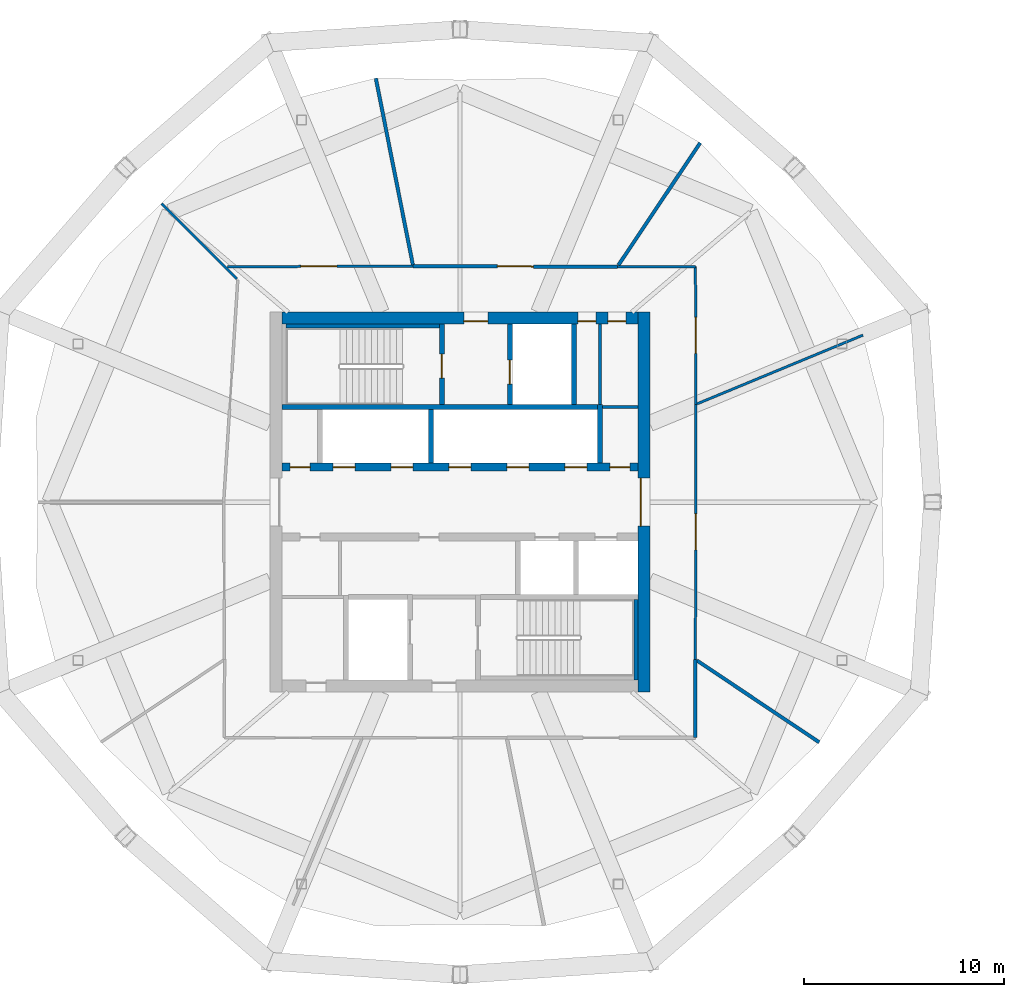
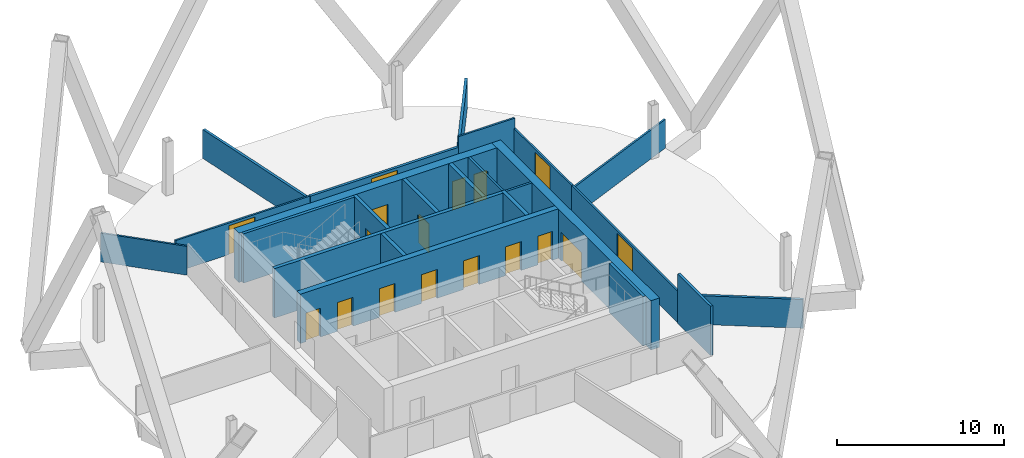
# One storey, part 5 of 9: 24 walls, 17 doors, 17 openings.
"""IFC4 building model written with IfcOpenShell, lengths in metres."""

import ifcopenshell
import ifcopenshell.guid

model = None  # the IFC model being written
_history = None  # IfcOwnerHistory: only IFC2X3 demands one
_inside = {}  # id of a spatial element -> (the spatial element, [elements in it])
_under = {}  # id of a project, library or spatial element -> (it, [spatial elements below it])
_declared = {}  # id of a project -> (the project, [libraries it declares])
_typed = {}  # id of a type object -> (the type object, [elements of that type])
_made_of = {}  # id of a material, layer set ... -> (it, [elements and type objects made of it])


def new_model(schema):
    """Start an empty IFC model of exactly this schema.

    Asked for "IFC4X3", IfcOpenShell would pick the latest addendum, in which some entities
    have other attributes; the version numbers below select the first issue.
    IFC2X3 requires an IfcOwnerHistory on every rooted entity: one is made here for all.
    """
    global model, _history
    if schema == "IFC4X3":
        model = ifcopenshell.file(schema_version=(4, 3, 0, 0))
    else:
        model = ifcopenshell.file(schema=schema)
    _inside.clear()
    _under.clear()
    _declared.clear()
    _typed.clear()
    _made_of.clear()
    _history = None
    if model.schema == "IFC2X3":
        org = make("IfcOrganization", Name="unknown")
        user = make(
            "IfcPersonAndOrganization",
            ThePerson=make("IfcPerson", FamilyName="unknown"),
            TheOrganization=org,
        )
        app = make(
            "IfcApplication",
            ApplicationDeveloper=org,
            Version="unknown",
            ApplicationFullName="unknown",
            ApplicationIdentifier="unknown",
        )
        _history = make(
            "IfcOwnerHistory",
            OwningUser=user,
            OwningApplication=app,
            ChangeAction="ADDED",
            CreationDate=0,
        )
    return model


def make(cls, **values):
    """One entity of the class cls with the attributes given. An attribute that is None is left unset."""
    return model.create_entity(
        cls, **{name: value for name, value in values.items() if value is not None}
    )


def rooted(cls, **values):
    """An entity with a GlobalId (a new one), such as an element, a storey or a relation."""
    return make(cls, GlobalId=ifcopenshell.guid.new(), OwnerHistory=_history, **values)


def si_unit(unit_type, name, prefix=None):
    """IfcSIUnit, for example si_unit("LENGTHUNIT", "METRE", prefix="MILLI")."""
    return make("IfcSIUnit", UnitType=unit_type, Prefix=prefix, Name=name)


def assignment(units):
    """IfcUnitAssignment: the units of a project."""
    return None if units is None else make("IfcUnitAssignment", Units=units)


def point(xyz):
    """IfcCartesianPoint."""
    return None if xyz is None else make("IfcCartesianPoint", Coordinates=xyz)


def direction(xyz):
    """IfcDirection."""
    return None if xyz is None else make("IfcDirection", DirectionRatios=xyz)


def frame(location, z_axis=None, x_axis=None):
    """IfcAxis2Placement3D, a coordinate frame: its origin and axes. An axis left out is left unset."""
    return make(
        "IfcAxis2Placement3D",
        Location=point(location),
        Axis=direction(z_axis),
        RefDirection=direction(x_axis),
    )


def frame_2d(location, x_axis=None):
    """IfcAxis2Placement2D, a coordinate frame in the plane: its origin and x axis."""
    return make(
        "IfcAxis2Placement2D", Location=point(location), RefDirection=direction(x_axis)
    )


def origin():
    """The frame at (0, 0, 0) with its axes left unset."""
    return frame((0.0, 0.0, 0.0))


def place(relative_to, where):
    """IfcLocalPlacement: puts the frame where relative to a parent placement (None: the world)."""
    return make(
        "IfcLocalPlacement", PlacementRelTo=relative_to, RelativePlacement=where
    )


def context(
    kind, dimensions, precision=None, world=None, true_north=None, identifier=None
):
    """IfcGeometricRepresentationContext, for example the 3D "Model" context."""
    return make(
        "IfcGeometricRepresentationContext",
        ContextIdentifier=identifier,
        ContextType=kind,
        CoordinateSpaceDimension=dimensions,
        Precision=precision,
        WorldCoordinateSystem=world,
        TrueNorth=true_north,
    )


def subcontext(parent, identifier, kind, view, scale=None):
    """IfcGeometricRepresentationSubContext, for example "Body" below "Model"."""
    return make(
        "IfcGeometricRepresentationSubContext",
        ContextIdentifier=identifier,
        ContextType=kind,
        ParentContext=parent,
        TargetScale=scale,
        TargetView=view,
    )


def project(units=None, contexts=None):
    """IfcProject with its units and contexts."""
    return rooted(
        "IfcProject",
        Name="project",
        RepresentationContexts=contexts,
        UnitsInContext=assignment(units),
    )


def spatial(cls, under=None, at=None, **own):
    """A site, building, storey or space (cls), placed at a placement, below another one or the project."""
    s = rooted(cls, ObjectPlacement=at, **own)
    if under is not None:
        _under.setdefault(under.id(), (under, []))[1].append(s)
    return s


def profile(cls, at=None, kind="AREA", **sizes):
    """A parametric profile (cls). Its sizes go by their IFC names, for example OverallWidth=200.0."""
    return make(cls, ProfileType=kind, Position=at, **sizes)


def rectangle(**sizes):
    """IfcRectangleProfileDef."""
    return profile("IfcRectangleProfileDef", **sizes)


def extrude(swept, where, along, depth):
    """IfcExtrudedAreaSolid: the profile swept, set in the frame where, extruded along a direction by depth."""
    return make(
        "IfcExtrudedAreaSolid",
        SweptArea=swept,
        Position=where,
        ExtrudedDirection=direction(along),
        Depth=depth,
    )


def shape(context_of_items, identifier, shape_type, items):
    """IfcShapeRepresentation: the items that make up one representation, for example the "Body"."""
    return make(
        "IfcShapeRepresentation",
        ContextOfItems=context_of_items,
        RepresentationIdentifier=identifier,
        RepresentationType=shape_type,
        Items=items,
    )


def material(Name=None, Category=None):
    """IfcMaterial."""
    return make("IfcMaterial", Name=Name, Category=Category)


def layer(
    of_material, thickness, ventilated=None, Name=None, Category=None, Priority=None
):
    """IfcMaterialLayer: one layer of a wall or slab, of a material (None: an air gap)."""
    return make(
        "IfcMaterialLayer",
        Material=of_material,
        LayerThickness=thickness,
        IsVentilated=ventilated,
        Name=Name,
        Category=Category,
        Priority=Priority,
    )


def layer_set(layers, Name=None):
    """IfcMaterialLayerSet."""
    return make("IfcMaterialLayerSet", MaterialLayers=layers, LayerSetName=Name)


def made_of(thing, what):
    """Note that an element or type object is made of a material, layer set ...; save() writes the relation."""
    if what is not None:
        _made_of.setdefault(what.id(), (what, []))[1].append(thing)
    return thing


def type_object(cls, material=None, **own):
    """A type object (cls), such as IfcWallType, which elements share."""
    return made_of(rooted(cls, **own), material)


def element(
    cls,
    number,
    at=None,
    inside=None,
    cuts=None,
    type_object=None,
    material=None,
    context=None,
    identifier="Body",
    shape_type=None,
    held_by="IfcProductDefinitionShape",
    body=None,
    shapes=None,
    **own,
):
    """One element of the class cls, such as IfcWall. Its Tag is "e" and its number.

    at: its placement. inside: the storey or other place that contains it. cuts: it is an
    opening in that element (IfcRelVoidsElement). A single representation is given by context,
    identifier, shape_type and body (its items); several are given by shapes. held_by: the class
    of the entity that holds the representations. save() writes the other relations.
    """
    e = rooted(cls, Tag="e%d" % number, ObjectPlacement=at, **own)
    if body is not None:
        shapes = [shape(context, identifier, shape_type, body)]
    if shapes is not None:
        e.Representation = make(held_by, Representations=shapes)
    if inside is not None:
        _inside.setdefault(inside.id(), (inside, []))[1].append(e)
    if cuts is not None:
        rooted(
            "IfcRelVoidsElement", RelatingBuildingElement=cuts, RelatedOpeningElement=e
        )
    if type_object is not None:
        _typed.setdefault(type_object.id(), (type_object, []))[1].append(e)
    return made_of(e, material)


def fill(opening, filler):
    """IfcRelFillsElement: the door or window that sits in an opening."""
    return rooted(
        "IfcRelFillsElement",
        RelatingOpeningElement=opening,
        RelatedBuildingElement=filler,
    )


def aggregate(whole, parts):
    """IfcRelAggregates: a whole, such as a stair, and the parts it consists of."""
    return rooted("IfcRelAggregates", RelatingObject=whole, RelatedObjects=parts)


def save(model, path):
    """Write the relations noted so far, then the file.

    IfcRelAggregates (storeys below a building ...), IfcRelContainedInSpatialStructure (elements
    in a storey), IfcRelDefinesByType, IfcRelAssociatesMaterial and IfcRelDeclares: one each for
    every whole, place, type object, material and project.
    """
    for whole, parts in _under.values():
        aggregate(whole, parts)
    for where, things in _inside.values():
        rooted(
            "IfcRelContainedInSpatialStructure",
            RelatedElements=things,
            RelatingStructure=where,
        )
    for kind, things in _typed.values():
        rooted("IfcRelDefinesByType", RelatedObjects=things, RelatingType=kind)
    for what, things in _made_of.values():
        rooted("IfcRelAssociatesMaterial", RelatedObjects=things, RelatingMaterial=what)
    for by, libraries in _declared.values():
        rooted("IfcRelDeclares", RelatingContext=by, RelatedDefinitions=libraries)
    model.write(path)


model = new_model("IFC4")

# Units and contexts
model_context = context("Model", 3, precision=1e-05, world=origin(), true_north=direction((0.0, 1.0)))
body_context = subcontext(model_context, "Body", "Model", "MODEL_VIEW")
ifc_project = project(units=[si_unit("LENGTHUNIT", "METRE"), si_unit("AREAUNIT", "SQUARE_METRE"), si_unit("VOLUMEUNIT", "CUBIC_METRE"), si_unit("PLANEANGLEUNIT", "RADIAN"), si_unit("MASSUNIT", "GRAM", prefix="KILO")], contexts=[model_context])

# Site, building, storey
site_placement = place(None, origin())
site = spatial("IfcSite", under=ifc_project, at=site_placement, CompositionType="ELEMENT")
building_placement = place(site_placement, origin())
building = spatial("IfcBuilding", under=site, at=building_placement, Name="Ogive Gate Towers", CompositionType="ELEMENT")
storey_placement = place(building_placement, frame((0.0, 0.0, 200.699951171875)))
storey = spatial("IfcBuildingStorey", under=building, at=storey_placement, Name="L48", CompositionType="ELEMENT", Elevation=200.699951171875)

# Walls
ifc_material_1 = material(Name="Gypsum board acoustic partition")
ifc_layer_1 = layer(ifc_material_1, 0.175048828125)
ifc_layer_set_1 = layer_set([ifc_layer_1], Name="Acoustic partition 175")
wall_type_1 = type_object("IfcWallType", Name="Acoustic partition 175", PredefinedType="PARTITIONING", material=ifc_layer_set_1)
wall_1_placement = place(storey_placement, frame((-23.98193359375, 17.971435546875, 0.0), z_axis=(0.0, 0.0, 1.0), x_axis=(-0.555893526089, -0.831253503844, 0.0)))
element("IfcWall", 1, at=wall_1_placement, inside=storey, type_object=wall_type_1, Name="Partition T1-L48-002", PredefinedType="PARTITIONING", context=body_context, shape_type="SweptSolid", body=[
    extrude(rectangle(XDim=7.361572265625, YDim=0.175048828125, at=frame_2d((3.6806640625, 0.0))), origin(), (0.0, 0.0, 1.0), 2.10009765625),
])
wall_2_placement = place(storey_placement, frame((-40.209716796875, 21.205810546875, 0.0), z_axis=(0.0, 0.0, 1.0), x_axis=(0.194714091205, -0.980860042354, 0.0)))
element("IfcWall", 2, at=wall_2_placement, inside=storey, type_object=wall_type_1, Name="Partition T1-L48-003", PredefinedType="PARTITIONING", context=body_context, shape_type="SweptSolid", body=[
    extrude(rectangle(XDim=9.51171875, YDim=0.175048828125, at=frame_2d((4.755859375, 0.0))), origin(), (0.0, 0.0, 1.0), 2.10009765625),
])
wall_3_placement = place(storey_placement, frame((-18.028564453125, -12.01806640625, 0.0), z_axis=(0.0, 0.0, 1.0), x_axis=(-0.831253503844, 0.555893526089, 0.0)))
element("IfcWall", 3, at=wall_3_placement, inside=storey, type_object=wall_type_1, Name="Partition T1-L48-009", PredefinedType="PARTITIONING", context=body_context, shape_type="SweptSolid", body=[
    extrude(rectangle(XDim=7.361572265625, YDim=0.175048828125, at=frame_2d((3.6806640625, 0.0))), origin(), (0.0, 0.0, 1.0), 2.10009765625),
])
wall_4_placement = place(storey_placement, frame((-24.219970703125, -11.780029296875, 0.0), z_axis=(0.0, 0.0, 1.0), x_axis=(-0.000187664203, 0.999999982391, 0.0)))
element("IfcWall", 4, at=wall_4_placement, inside=storey, type_object=wall_type_1, Name="Partition T1-L48-015", PredefinedType="PARTITIONING", context=body_context, shape_type="SweptSolid", body=[
    extrude(rectangle(XDim=3.90283203125, YDim=0.175048828125, at=frame_2d((1.951416015625, 0.0))), origin(), (0.0, 0.0, 1.0), 3.60009765625),
])

# Wall, opening, door
wall_5_placement = place(storey_placement, frame((-28.122802734375, 11.779296875, 0.0), z_axis=(0.0, 0.0, 1.0), x_axis=(-0.999999395978, 0.00109911049, 0.0)))
wall_5 = element("IfcWall", 5, at=wall_5_placement, inside=storey, type_object=wall_type_1, Name="Partition T1-L48-019", PredefinedType="PARTITIONING", context=body_context, shape_type="SweptSolid", body=[
    extrude(rectangle(XDim=10.2177734375, YDim=0.175048828125, at=frame_2d((5.10888671875, 0.0))), origin(), (0.0, 0.0, 1.0), 2.300048828125),
])
opening_1_placement = place(wall_5_placement, frame((4.208984375, 0.0, 0.0)))
opening_1 = element("IfcOpeningElement", 6, at=opening_1_placement, cuts=wall_5, Name="Opening T1-L48-D07", PredefinedType="OPENING", context=body_context, shape_type="SweptSolid", body=[
    extrude(rectangle(XDim=1.800048828125, YDim=2.10009765625, at=frame_2d((0.89990234375, 1.050048828125))), frame((0.0, 0.09765625, 0.0), z_axis=(0.0, -1.0, 0.0), x_axis=(1.0, 0.0, 0.0)), (0.0, 0.0, 1.0), 0.195068359375),
])
ifc_material_2 = material(Name="Timber door", Category="wood")
door_type_1 = type_object("IfcDoorType", Name="Door pair 1800", OperationType="NOTDEFINED", PredefinedType="DOOR", material=ifc_material_2)
door_1_placement = place(opening_1_placement, origin())
door_1 = element("IfcDoor", 7, at=door_1_placement, inside=storey, type_object=door_type_1, Name="Door T1-L48-D07", OperationType="DOUBLE_DOOR_DOUBLE_SWING", OverallHeight=2.10009765625, OverallWidth=1.800048828125, PredefinedType="DOOR", context=body_context, shape_type="SweptSolid", body=[
    extrude(rectangle(XDim=1.800048828125, YDim=2.10009765625, at=frame_2d((0.89990234375, 1.050048828125))), frame((0.0, 0.02490234375, 0.0), z_axis=(0.0, -1.0, 0.0), x_axis=(1.0, 0.0, 0.0)), (0.0, 0.0, 1.0), 0.050048828125),
])
fill(opening_1, door_1)

# Wall, openings, doors
ifc_material_3 = material(Name="Concrete C60/75", Category="concrete")
ifc_layer_2 = layer(ifc_material_3, 0.60009765625)
ifc_layer_set_2 = layer_set([ifc_layer_2], Name="Core wall 600 mm")
wall_type_2 = type_object("IfcWallType", Name="Core wall 600 mm", PredefinedType="SHEAR", material=ifc_layer_set_2)
wall_6_placement = place(storey_placement, frame((-44.89990234375, 9.199951171875, 0.0), z_axis=(0.0, 0.0, 1.0), x_axis=(1.0, 0.0, 0.0)))
wall_6 = element("IfcWall", 8, at=wall_6_placement, inside=storey, type_object=wall_type_2, Name="T1 L48 Core wall 600 mm", PredefinedType="SHEAR", context=body_context, shape_type="SweptSolid", body=[
    extrude(rectangle(XDim=17.7998046875, YDim=0.60009765625, at=frame_2d((8.89990234375, 0.0))), origin(), (0.0, 0.0, 1.0), 3.60009765625),
])
opening_2_placement = place(wall_6_placement, frame((9.10009765625, 0.0, 0.0)))
opening_2 = element("IfcOpeningElement", 9, at=opening_2_placement, cuts=wall_6, Name="Opening KD-T1-L48-18", PredefinedType="OPENING", context=body_context, shape_type="SweptSolid", body=[
    extrude(rectangle(XDim=1.199951171875, YDim=2.10009765625, at=frame_2d((0.60009765625, 1.050048828125))), frame((0.0, 0.31005859375, 0.0), z_axis=(0.0, -1.0, 0.0), x_axis=(1.0, 0.0, 0.0)), (0.0, 0.0, 1.0), 0.6201171875),
])
opening_3_placement = place(wall_6_placement, frame((14.800048828125, 0.0, 0.0)))
opening_3 = element("IfcOpeningElement", 10, at=opening_3_placement, cuts=wall_6, Name="Opening KD-T1-L48-20", PredefinedType="OPENING", context=body_context, shape_type="SweptSolid", body=[
    extrude(rectangle(XDim=0.89990234375, YDim=2.10009765625, at=frame_2d((0.449951171875, 1.050048828125))), frame((0.0, 0.31005859375, 0.0), z_axis=(0.0, -1.0, 0.0), x_axis=(1.0, 0.0, 0.0)), (0.0, 0.0, 1.0), 0.6201171875),
])
opening_4_placement = place(wall_6_placement, frame((16.300048828125, 0.0, 0.0)))
opening_4 = element("IfcOpeningElement", 11, at=opening_4_placement, cuts=wall_6, Name="Opening KD-T1-L48-21", PredefinedType="OPENING", context=body_context, shape_type="SweptSolid", body=[
    extrude(rectangle(XDim=0.89990234375, YDim=2.10009765625, at=frame_2d((0.449951171875, 1.050048828125))), frame((0.0, 0.31005859375, 0.0), z_axis=(0.0, -1.0, 0.0), x_axis=(1.0, 0.0, 0.0)), (0.0, 0.0, 1.0), 0.6201171875),
])
door_type_2 = type_object("IfcDoorType", Name="Core WC door 900 x 2100", OperationType="NOTDEFINED", PredefinedType="DOOR", material=ifc_material_2)
door_2_placement = place(opening_3_placement, origin())
door_2 = element("IfcDoor", 12, at=door_2_placement, inside=storey, type_object=door_type_2, Name="T1 L48 Core door", OperationType="SINGLE_SWING_LEFT", OverallHeight=2.10009765625, OverallWidth=0.89990234375, PredefinedType="DOOR", context=body_context, shape_type="SweptSolid", body=[
    extrude(rectangle(XDim=0.89990234375, YDim=2.10009765625, at=frame_2d((0.449951171875, 1.050048828125))), frame((0.0, -0.125, 0.0), z_axis=(0.0, -1.0, 0.0), x_axis=(1.0, 0.0, 0.0)), (0.0, 0.0, 1.0), 0.050048828125),
])
fill(opening_3, door_2)
door_3_placement = place(opening_4_placement, origin())
door_3 = element("IfcDoor", 13, at=door_3_placement, inside=storey, type_object=door_type_2, Name="T1 L48 Core door", OperationType="SINGLE_SWING_RIGHT", OverallHeight=2.10009765625, OverallWidth=0.89990234375, PredefinedType="DOOR", context=body_context, shape_type="SweptSolid", body=[
    extrude(rectangle(XDim=0.89990234375, YDim=2.10009765625, at=frame_2d((0.449951171875, 1.050048828125))), frame((0.0, -0.125, 0.0), z_axis=(0.0, -1.0, 0.0), x_axis=(1.0, 0.0, 0.0)), (0.0, 0.0, 1.0), 0.050048828125),
])
fill(opening_4, door_3)
ifc_material_4 = material(Name="Steel fire door", Category="steel")
door_type_3 = type_object("IfcDoorType", Name="Core door FD60S 1200 x 2100", OperationType="NOTDEFINED", PredefinedType="DOOR", material=ifc_material_4)
door_4_placement = place(opening_2_placement, origin())
door_4 = element("IfcDoor", 14, at=door_4_placement, inside=storey, type_object=door_type_3, Name="T1 L48 Fire-fighting lobby door", OperationType="SINGLE_SWING_LEFT", OverallHeight=2.10009765625, OverallWidth=1.199951171875, PredefinedType="DOOR", context=body_context, shape_type="SweptSolid", body=[
    extrude(rectangle(XDim=1.199951171875, YDim=2.10009765625, at=frame_2d((0.60009765625, 1.050048828125))), frame((0.0, -0.125, 0.0), z_axis=(0.0, -1.0, 0.0), x_axis=(1.0, 0.0, 0.0)), (0.0, 0.0, 1.0), 0.050048828125),
])
fill(opening_2, door_4)

# Wall, opening, door
wall_7_placement = place(storey_placement, frame((-26.800048828125, -9.5, 0.0), z_axis=(0.0, 0.0, 1.0), x_axis=(0.0, 1.0, 0.0)))
wall_7 = element("IfcWall", 15, at=wall_7_placement, inside=storey, type_object=wall_type_2, Name="T1 L48 Core wall 600 mm", PredefinedType="SHEAR", context=body_context, shape_type="SweptSolid", body=[
    extrude(rectangle(XDim=19.0, YDim=0.60009765625, at=frame_2d((9.5, 0.0))), origin(), (0.0, 0.0, 1.0), 3.60009765625),
])
opening_5_placement = place(wall_7_placement, frame((8.300048828125, 0.0, 0.0)))
opening_5 = element("IfcOpeningElement", 16, at=opening_5_placement, cuts=wall_7, Name="Opening KD-T1-L48-02", PredefinedType="OPENING", context=body_context, shape_type="SweptSolid", body=[
    extrude(rectangle(XDim=2.39990234375, YDim=2.10009765625, at=frame_2d((1.199951171875, 1.050048828125))), frame((0.0, 0.31005859375, 0.0), z_axis=(0.0, -1.0, 0.0), x_axis=(1.0, 0.0, 0.0)), (0.0, 0.0, 1.0), 0.6201171875),
])
door_type_4 = type_object("IfcDoorType", Name="Core double door FD60S 2400 x 2100", OperationType="DOUBLE_DOOR_SINGLE_SWING", PredefinedType="DOOR", material=ifc_material_4)
door_5_placement = place(opening_5_placement, origin())
door_5 = element("IfcDoor", 17, at=door_5_placement, inside=storey, type_object=door_type_4, Name="T1 L48 Core door double", OperationType="DOUBLE_DOOR_SINGLE_SWING", OverallHeight=2.10009765625, OverallWidth=2.39990234375, PredefinedType="DOOR", context=body_context, shape_type="SweptSolid", body=[
    extrude(rectangle(XDim=2.39990234375, YDim=2.10009765625, at=frame_2d((1.199951171875, 1.050048828125))), frame((0.0, 0.1748046875, 0.0), z_axis=(0.0, -1.0, 0.0), x_axis=(1.0, 0.0, 0.0)), (0.0, 0.0, 1.0), 0.050048828125),
])
fill(opening_5, door_5)

# Walls
ifc_material_5 = material(Name="Gypsum board partition")
ifc_layer_3 = layer(ifc_material_5, 0.125)
ifc_layer_set_3 = layer_set([ifc_layer_3], Name="Partition 125")
wall_type_3 = type_object("IfcWallType", Name="Partition 125", PredefinedType="PARTITIONING", material=ifc_layer_set_3)
wall_8_placement = place(storey_placement, frame((-15.8408203125, 8.35009765625, 0.0), z_axis=(0.0, 0.0, 1.0), x_axis=(-0.923881075236, -0.382679707877, 0.0)))
element("IfcWall", 18, at=wall_8_placement, inside=storey, type_object=wall_type_3, Name="Partition T1-L48-001", PredefinedType="PARTITIONING", context=body_context, shape_type="SweptSolid", body=[
    extrude(rectangle(XDim=8.986572265625, YDim=0.125, at=frame_2d((4.4931640625, 0.0))), origin(), (0.0, 0.0, 1.0), 2.10009765625),
])
wall_9_placement = place(storey_placement, frame((-50.933349609375, 14.933349609375, 0.0), z_axis=(0.0, 0.0, 1.0), x_axis=(0.707106781187, -0.707106781187, 0.0)))
element("IfcWall", 19, at=wall_9_placement, inside=storey, type_object=wall_type_3, Name="Partition T1-L48-004", PredefinedType="PARTITIONING", context=body_context, shape_type="SweptSolid", body=[
    extrude(rectangle(XDim=5.33642578125, YDim=0.125, at=frame_2d((2.668212890625, 0.0))), origin(), (0.0, 0.0, 1.0), 2.10009765625),
])

# Wall, opening, door
wall_10_placement = place(storey_placement, frame((-24.220703125, -7.877197265625, 0.0), z_axis=(0.0, 0.0, 1.0), x_axis=(0.001530132287, 0.999998829347, 0.0)))
wall_10 = element("IfcWall", 20, at=wall_10_placement, inside=storey, type_object=wall_type_3, Name="Partition T1-L48-016", PredefinedType="PARTITIONING", context=body_context, shape_type="SweptSolid", body=[
    extrude(rectangle(XDim=12.764404296875, YDim=0.125, at=frame_2d((6.38232421875, 0.0))), origin(), (0.0, 0.0, 1.0), 2.300048828125),
])
opening_6_placement = place(wall_10_placement, frame((5.48193359375, 0.0, 0.0)))
opening_6 = element("IfcOpeningElement", 21, at=opening_6_placement, cuts=wall_10, Name="Opening T1-L48-D05", PredefinedType="OPENING", context=body_context, shape_type="SweptSolid", body=[
    extrude(rectangle(XDim=1.800048828125, YDim=2.10009765625, at=frame_2d((0.89990234375, 1.050048828125))), frame((0.0, 0.072509765625, 0.0), z_axis=(0.0, -1.0, 0.0), x_axis=(1.0, 0.0, 0.0)), (0.0, 0.0, 1.0), 0.14501953125),
])
door_6_placement = place(opening_6_placement, origin())
door_6 = element("IfcDoor", 22, at=door_6_placement, inside=storey, type_object=door_type_1, Name="Door T1-L48-D05", OperationType="DOUBLE_DOOR_DOUBLE_SWING", OverallHeight=2.10009765625, OverallWidth=1.800048828125, PredefinedType="DOOR", context=body_context, shape_type="SweptSolid", body=[
    extrude(rectangle(XDim=1.800048828125, YDim=2.10009765625, at=frame_2d((0.89990234375, 1.050048828125))), frame((0.0, 0.02490234375, 0.0), z_axis=(0.0, -1.0, 0.0), x_axis=(1.0, 0.0, 0.0)), (0.0, 0.0, 1.0), 0.050048828125),
])
fill(opening_6, door_6)

wall_11_placement = place(storey_placement, frame((-24.201171875, 4.88720703125, 0.0), z_axis=(0.0, 0.0, 1.0), x_axis=(-0.002727294784, 0.999996280925, 0.0)))
wall_11 = element("IfcWall", 23, at=wall_11_placement, inside=storey, type_object=wall_type_3, Name="Partition T1-L48-017", PredefinedType="PARTITIONING", context=body_context, shape_type="SweptSolid", body=[
    extrude(rectangle(XDim=6.892822265625, YDim=0.125, at=frame_2d((3.4462890625, 0.0))), origin(), (0.0, 0.0, 1.0), 2.300048828125),
])
opening_7_placement = place(wall_11_placement, frame((2.5458984375, 0.0, 0.0)))
opening_7 = element("IfcOpeningElement", 24, at=opening_7_placement, cuts=wall_11, Name="Opening T1-L48-D06", PredefinedType="OPENING", context=body_context, shape_type="SweptSolid", body=[
    extrude(rectangle(XDim=1.800048828125, YDim=2.10009765625, at=frame_2d((0.89990234375, 1.050048828125))), frame((0.0, 0.072509765625, 0.0), z_axis=(0.0, -1.0, 0.0), x_axis=(1.0, 0.0, 0.0)), (0.0, 0.0, 1.0), 0.14501953125),
])
door_7_placement = place(opening_7_placement, origin())
door_7 = element("IfcDoor", 25, at=door_7_placement, inside=storey, type_object=door_type_1, Name="Door T1-L48-D06", OperationType="DOUBLE_DOOR_DOUBLE_SWING", OverallHeight=2.10009765625, OverallWidth=1.800048828125, PredefinedType="DOOR", context=body_context, shape_type="SweptSolid", body=[
    extrude(rectangle(XDim=1.800048828125, YDim=2.10009765625, at=frame_2d((0.89990234375, 1.050048828125))), frame((0.0, 0.02490234375, 0.0), z_axis=(0.0, -1.0, 0.0), x_axis=(1.0, 0.0, 0.0)), (0.0, 0.0, 1.0), 0.050048828125),
])
fill(opening_7, door_7)

# Wall
wall_12_placement = place(storey_placement, frame((-24.219970703125, 11.780029296875, 0.0), z_axis=(0.0, 0.0, 1.0), x_axis=(-0.999999982391, -0.000187664203, 0.0)))
element("IfcWall", 26, at=wall_12_placement, inside=storey, type_object=wall_type_3, Name="Partition T1-L48-018", PredefinedType="PARTITIONING", context=body_context, shape_type="SweptSolid", body=[
    extrude(rectangle(XDim=3.90283203125, YDim=0.125, at=frame_2d((1.951416015625, 0.0))), origin(), (0.0, 0.0, 1.0), 3.050048828125),
])

# Wall, opening, door
wall_13_placement = place(storey_placement, frame((-38.340576171875, 11.79052734375, 0.0), z_axis=(0.0, 0.0, 1.0), x_axis=(-0.99999938939, -0.001105087995, 0.0)))
wall_13 = element("IfcWall", 27, at=wall_13_placement, inside=storey, type_object=wall_type_3, Name="Partition T1-L48-020", PredefinedType="PARTITIONING", context=body_context, shape_type="SweptSolid", body=[
    extrude(rectangle(XDim=9.27880859375, YDim=0.125, at=frame_2d((4.639404296875, 0.0))), origin(), (0.0, 0.0, 1.0), 2.300048828125),
])
opening_8_placement = place(wall_13_placement, frame((3.820068359375, 0.0, 0.0)))
opening_8 = element("IfcOpeningElement", 28, at=opening_8_placement, cuts=wall_13, Name="Opening T1-L48-D08", PredefinedType="OPENING", context=body_context, shape_type="SweptSolid", body=[
    extrude(rectangle(XDim=1.800048828125, YDim=2.10009765625, at=frame_2d((0.89990234375, 1.050048828125))), frame((0.0, 0.072509765625, 0.0), z_axis=(0.0, -1.0, 0.0), x_axis=(1.0, 0.0, 0.0)), (0.0, 0.0, 1.0), 0.14501953125),
])
door_8_placement = place(opening_8_placement, origin())
door_8 = element("IfcDoor", 29, at=door_8_placement, inside=storey, type_object=door_type_1, Name="Door T1-L48-D08", OperationType="DOUBLE_DOOR_DOUBLE_SWING", OverallHeight=2.10009765625, OverallWidth=1.800048828125, PredefinedType="DOOR", context=body_context, shape_type="SweptSolid", body=[
    extrude(rectangle(XDim=1.800048828125, YDim=2.10009765625, at=frame_2d((0.89990234375, 1.050048828125))), frame((0.0, 0.02490234375, 0.0), z_axis=(0.0, -1.0, 0.0), x_axis=(1.0, 0.0, 0.0)), (0.0, 0.0, 1.0), 0.050048828125),
])
fill(opening_8, door_8)

# Walls
ifc_layer_4 = layer(ifc_material_5, 0.14990234375)
ifc_layer_set_4 = layer_set([ifc_layer_4], Name="Room partition 150 mm")
wall_type_4 = type_object("IfcWallType", Name="Room partition 150 mm", PredefinedType="PARTITIONING", material=ifc_layer_set_4)
wall_14_placement = place(storey_placement, frame((-28.875, 4.75, 0.0), z_axis=(0.0, 0.0, 1.0), x_axis=(1.0, 0.0, 0.0)))
element("IfcWall", 30, at=wall_14_placement, inside=storey, type_object=wall_type_4, Name="T1 L48 Room partition 150 mm", PredefinedType="PARTITIONING", context=body_context, shape_type="SweptSolid", body=[
    extrude(rectangle(XDim=1.77490234375, YDim=0.14990234375, at=frame_2d((0.887451171875, 0.0))), origin(), (0.0, 0.0, 1.0), 3.60009765625),
])
wall_15_placement = place(storey_placement, frame((-29.0, 4.875, 0.0), z_axis=(0.0, 0.0, 1.0), x_axis=(0.0, 1.0, 0.0)))
element("IfcWall", 31, at=wall_15_placement, inside=storey, type_object=wall_type_4, Name="T1 L48 Room partition 150 mm", PredefinedType="PARTITIONING", context=body_context, shape_type="SweptSolid", body=[
    extrude(rectangle(XDim=4.02490234375, YDim=0.14990234375, at=frame_2d((2.012451171875, 0.0))), origin(), (0.0, 0.0, 1.0), 3.60009765625),
])
ifc_layer_5 = layer(ifc_material_3, 0.25)
ifc_layer_set_5 = layer_set([ifc_layer_5], Name="Shaft wall 250 mm")
wall_type_5 = type_object("IfcWallType", Name="Shaft wall 250 mm", PredefinedType="SHEAR", material=ifc_layer_set_5)
wall_16_placement = place(storey_placement, frame((-44.89990234375, 4.75, 0.0), z_axis=(0.0, 0.0, 1.0), x_axis=(1.0, 0.0, 0.0)))
element("IfcWall", 32, at=wall_16_placement, inside=storey, type_object=wall_type_5, Name="T1 L48 Shaft wall 250 mm", PredefinedType="SHEAR", context=body_context, shape_type="SweptSolid", body=[
    extrude(rectangle(XDim=15.77490234375, YDim=0.25, at=frame_2d((7.887451171875, 0.0))), origin(), (0.0, 0.0, 1.0), 3.60009765625),
])
wall_17_placement = place(storey_placement, frame((-37.449951171875, 1.949951171875, 0.0), z_axis=(0.0, 0.0, 1.0), x_axis=(0.0, 1.0, 0.0)))
element("IfcWall", 33, at=wall_17_placement, inside=storey, type_object=wall_type_5, Name="T1 L48 Shaft wall 250 mm", PredefinedType="SHEAR", context=body_context, shape_type="SweptSolid", body=[
    extrude(rectangle(XDim=2.675048828125, YDim=0.25, at=frame_2d((1.33740234375, 0.0))), origin(), (0.0, 0.0, 1.0), 3.60009765625),
])

# Wall, opening, door
wall_18_placement = place(storey_placement, frame((-36.89990234375, 4.875, 0.0), z_axis=(0.0, 0.0, 1.0), x_axis=(0.0, 1.0, 0.0)))
wall_18 = element("IfcWall", 34, at=wall_18_placement, inside=storey, type_object=wall_type_5, Name="T1 L48 Shaft wall 250 mm", PredefinedType="SHEAR", context=body_context, shape_type="SweptSolid", body=[
    extrude(rectangle(XDim=4.02490234375, YDim=0.25, at=frame_2d((2.012451171875, 0.0))), origin(), (0.0, 0.0, 1.0), 3.60009765625),
])
opening_9_placement = place(wall_18_placement, frame((1.324951171875, 0.0, 0.0)))
opening_9 = element("IfcOpeningElement", 35, at=opening_9_placement, cuts=wall_18, Name="Opening KD-T1-L48-16", PredefinedType="OPENING", context=body_context, shape_type="SweptSolid", body=[
    extrude(rectangle(XDim=1.199951171875, YDim=2.10009765625, at=frame_2d((0.60009765625, 1.050048828125))), frame((0.0, 0.135009765625, 0.0), z_axis=(0.0, -1.0, 0.0), x_axis=(1.0, 0.0, 0.0)), (0.0, 0.0, 1.0), 0.27001953125),
])
door_9_placement = place(opening_9_placement, origin())
door_9 = element("IfcDoor", 36, at=door_9_placement, inside=storey, type_object=door_type_3, Name="T1 L48 Stair door", OperationType="SINGLE_SWING_LEFT", OverallHeight=2.10009765625, OverallWidth=1.199951171875, PredefinedType="DOOR", context=body_context, shape_type="SweptSolid", body=[
    extrude(rectangle(XDim=1.199951171875, YDim=2.10009765625, at=frame_2d((0.60009765625, 1.050048828125))), frame((0.0, 0.02490234375, 0.0), z_axis=(0.0, -1.0, 0.0), x_axis=(1.0, 0.0, 0.0)), (0.0, 0.0, 1.0), 0.050048828125),
])
fill(opening_9, door_9)

wall_19_placement = place(storey_placement, frame((-33.5, 4.875, 0.0), z_axis=(0.0, 0.0, 1.0), x_axis=(0.0, 1.0, 0.0)))
wall_19 = element("IfcWall", 37, at=wall_19_placement, inside=storey, type_object=wall_type_5, Name="T1 L48 Shaft wall 250 mm", PredefinedType="SHEAR", context=body_context, shape_type="SweptSolid", body=[
    extrude(rectangle(XDim=4.02490234375, YDim=0.25, at=frame_2d((2.012451171875, 0.0))), origin(), (0.0, 0.0, 1.0), 3.60009765625),
])
opening_10_placement = place(wall_19_placement, frame((1.02490234375, 0.0, 0.0)))
opening_10 = element("IfcOpeningElement", 38, at=opening_10_placement, cuts=wall_19, Name="Opening LD-T1-L48-12", PredefinedType="OPENING", context=body_context, shape_type="SweptSolid", body=[
    extrude(rectangle(XDim=1.199951171875, YDim=2.10009765625, at=frame_2d((0.60009765625, 1.050048828125))), frame((0.0, 0.135009765625, 0.0), z_axis=(0.0, -1.0, 0.0), x_axis=(1.0, 0.0, 0.0)), (0.0, 0.0, 1.0), 0.27001953125),
])
ifc_material_6 = material(Name="Stainless steel landing door", Category="steel")
door_type_5 = type_object("IfcDoorType", Name="Landing door 1200 x 2100", OperationType="SLIDING_TO_LEFT", PredefinedType="DOOR", material=ifc_material_6)
door_10_placement = place(opening_10_placement, origin())
door_10 = element("IfcDoor", 39, at=door_10_placement, inside=storey, type_object=door_type_5, Name="T1 L48 Lift landing door FF1", OperationType="SLIDING_TO_LEFT", OverallHeight=2.10009765625, OverallWidth=1.199951171875, PredefinedType="DOOR", context=body_context, shape_type="SweptSolid", body=[
    extrude(rectangle(XDim=1.199951171875, YDim=2.10009765625, at=frame_2d((0.60009765625, 1.050048828125))), frame((0.0, 0.02490234375, 0.0), z_axis=(0.0, -1.0, 0.0), x_axis=(1.0, 0.0, 0.0)), (0.0, 0.0, 1.0), 0.050048828125),
])
fill(opening_10, door_10)

# Walls
wall_20_placement = place(storey_placement, frame((-30.300048828125, 4.875, 0.0), z_axis=(0.0, 0.0, 1.0), x_axis=(0.0, 1.0, 0.0)))
element("IfcWall", 40, at=wall_20_placement, inside=storey, type_object=wall_type_5, Name="T1 L48 Shaft wall 250 mm", PredefinedType="SHEAR", context=body_context, shape_type="SweptSolid", body=[
    extrude(rectangle(XDim=4.02490234375, YDim=0.25, at=frame_2d((2.012451171875, 0.0))), origin(), (0.0, 0.0, 1.0), 3.60009765625),
])
wall_21_placement = place(storey_placement, frame((-29.0, 1.949951171875, 0.0), z_axis=(0.0, 0.0, 1.0), x_axis=(0.0, 1.0, 0.0)))
element("IfcWall", 41, at=wall_21_placement, inside=storey, type_object=wall_type_5, Name="T1 L48 Shaft wall 250 mm", PredefinedType="SHEAR", context=body_context, shape_type="SweptSolid", body=[
    extrude(rectangle(XDim=2.925048828125, YDim=0.25, at=frame_2d((1.46240234375, 0.0))), origin(), (0.0, 0.0, 1.0), 3.60009765625),
])

# Wall, openings, doors
ifc_layer_6 = layer(ifc_material_3, 0.39990234375)
ifc_layer_set_6 = layer_set([ifc_layer_6], Name="Spine wall 400 mm")
wall_type_6 = type_object("IfcWallType", Name="Spine wall 400 mm", PredefinedType="SHEAR", material=ifc_layer_set_6)
wall_22_placement = place(storey_placement, frame((-44.89990234375, 1.75, 0.0), z_axis=(0.0, 0.0, 1.0), x_axis=(1.0, 0.0, 0.0)))
wall_22 = element("IfcWall", 42, at=wall_22_placement, inside=storey, type_object=wall_type_6, Name="T1 L48 Spine wall 400 mm", PredefinedType="SHEAR", context=body_context, shape_type="SweptSolid", body=[
    extrude(rectangle(XDim=17.7998046875, YDim=0.39990234375, at=frame_2d((8.89990234375, 0.0))), origin(), (0.0, 0.0, 1.0), 3.60009765625),
])
opening_11_placement = place(wall_22_placement, frame((0.39990234375, 0.0, 0.0)))
opening_11 = element("IfcOpeningElement", 43, at=opening_11_placement, cuts=wall_22, Name="Opening KD-T1-L48-03", PredefinedType="OPENING", context=body_context, shape_type="SweptSolid", body=[
    extrude(rectangle(XDim=1.0, YDim=2.10009765625, at=frame_2d((0.5, 1.050048828125))), frame((0.0, 0.2099609375, 0.0), z_axis=(0.0, -1.0, 0.0), x_axis=(1.0, 0.0, 0.0)), (0.0, 0.0, 1.0), 0.419921875),
])
opening_12_placement = place(wall_22_placement, frame((2.550048828125, 0.0, 0.0)))
opening_12 = element("IfcOpeningElement", 44, at=opening_12_placement, cuts=wall_22, Name="Opening LD-T1-L48-04", PredefinedType="OPENING", context=body_context, shape_type="SweptSolid", body=[
    extrude(rectangle(XDim=1.10009765625, YDim=2.10009765625, at=frame_2d((0.550048828125, 1.050048828125))), frame((0.0, 0.2099609375, 0.0), z_axis=(0.0, -1.0, 0.0), x_axis=(1.0, 0.0, 0.0)), (0.0, 0.0, 1.0), 0.419921875),
])
opening_13_placement = place(wall_22_placement, frame((5.449951171875, 0.0, 0.0)))
opening_13 = element("IfcOpeningElement", 45, at=opening_13_placement, cuts=wall_22, Name="Opening LD-T1-L48-05", PredefinedType="OPENING", context=body_context, shape_type="SweptSolid", body=[
    extrude(rectangle(XDim=1.10009765625, YDim=2.10009765625, at=frame_2d((0.550048828125, 1.050048828125))), frame((0.0, 0.2099609375, 0.0), z_axis=(0.0, -1.0, 0.0), x_axis=(1.0, 0.0, 0.0)), (0.0, 0.0, 1.0), 0.419921875),
])
opening_14_placement = place(wall_22_placement, frame((8.35009765625, 0.0, 0.0)))
opening_14 = element("IfcOpeningElement", 46, at=opening_14_placement, cuts=wall_22, Name="Opening LD-T1-L48-06", PredefinedType="OPENING", context=body_context, shape_type="SweptSolid", body=[
    extrude(rectangle(XDim=1.10009765625, YDim=2.10009765625, at=frame_2d((0.550048828125, 1.050048828125))), frame((0.0, 0.2099609375, 0.0), z_axis=(0.0, -1.0, 0.0), x_axis=(1.0, 0.0, 0.0)), (0.0, 0.0, 1.0), 0.419921875),
])
opening_15_placement = place(wall_22_placement, frame((11.25, 0.0, 0.0)))
opening_15 = element("IfcOpeningElement", 47, at=opening_15_placement, cuts=wall_22, Name="Opening LD-T1-L48-07", PredefinedType="OPENING", context=body_context, shape_type="SweptSolid", body=[
    extrude(rectangle(XDim=1.10009765625, YDim=2.10009765625, at=frame_2d((0.550048828125, 1.050048828125))), frame((0.0, 0.2099609375, 0.0), z_axis=(0.0, -1.0, 0.0), x_axis=(1.0, 0.0, 0.0)), (0.0, 0.0, 1.0), 0.419921875),
])
opening_16_placement = place(wall_22_placement, frame((14.14990234375, 0.0, 0.0)))
opening_16 = element("IfcOpeningElement", 48, at=opening_16_placement, cuts=wall_22, Name="Opening LD-T1-L48-08", PredefinedType="OPENING", context=body_context, shape_type="SweptSolid", body=[
    extrude(rectangle(XDim=1.10009765625, YDim=2.10009765625, at=frame_2d((0.550048828125, 1.050048828125))), frame((0.0, 0.2099609375, 0.0), z_axis=(0.0, -1.0, 0.0), x_axis=(1.0, 0.0, 0.0)), (0.0, 0.0, 1.0), 0.419921875),
])
opening_17_placement = place(wall_22_placement, frame((16.39990234375, 0.0, 0.0)))
opening_17 = element("IfcOpeningElement", 49, at=opening_17_placement, cuts=wall_22, Name="Opening KD-T1-L48-09", PredefinedType="OPENING", context=body_context, shape_type="SweptSolid", body=[
    extrude(rectangle(XDim=1.0, YDim=2.10009765625, at=frame_2d((0.5, 1.050048828125))), frame((0.0, 0.2099609375, 0.0), z_axis=(0.0, -1.0, 0.0), x_axis=(1.0, 0.0, 0.0)), (0.0, 0.0, 1.0), 0.419921875),
])
door_type_6 = type_object("IfcDoorType", Name="Core door FD60S 1000 x 2100", OperationType="NOTDEFINED", PredefinedType="DOOR", material=ifc_material_4)
door_11_placement = place(opening_11_placement, origin())
door_11 = element("IfcDoor", 50, at=door_11_placement, inside=storey, type_object=door_type_6, Name="T1 L48 Core door", OperationType="SINGLE_SWING_RIGHT", OverallHeight=2.10009765625, OverallWidth=1.0, PredefinedType="DOOR", context=body_context, shape_type="SweptSolid", body=[
    extrude(rectangle(XDim=1.0, YDim=2.10009765625, at=frame_2d((0.5, 1.050048828125))), frame((0.0, 0.02490234375, 0.0), z_axis=(0.0, -1.0, 0.0), x_axis=(1.0, 0.0, 0.0)), (0.0, 0.0, 1.0), 0.050048828125),
])
fill(opening_11, door_11)
door_12_placement = place(opening_17_placement, origin())
door_12 = element("IfcDoor", 51, at=door_12_placement, inside=storey, type_object=door_type_6, Name="T1 L48 Core door", OperationType="SINGLE_SWING_RIGHT", OverallHeight=2.10009765625, OverallWidth=1.0, PredefinedType="DOOR", context=body_context, shape_type="SweptSolid", body=[
    extrude(rectangle(XDim=1.0, YDim=2.10009765625, at=frame_2d((0.5, 1.050048828125))), frame((0.0, 0.02490234375, 0.0), z_axis=(0.0, -1.0, 0.0), x_axis=(1.0, 0.0, 0.0)), (0.0, 0.0, 1.0), 0.050048828125),
])
fill(opening_17, door_12)
door_type_7 = type_object("IfcDoorType", Name="Landing door 1100 x 2100", OperationType="SLIDING_TO_LEFT", PredefinedType="DOOR", material=ifc_material_6)
door_13_placement = place(opening_12_placement, origin())
door_13 = element("IfcDoor", 52, at=door_13_placement, inside=storey, type_object=door_type_7, Name="T1 L48 Lift landing door B1", OperationType="SLIDING_TO_LEFT", OverallHeight=2.10009765625, OverallWidth=1.10009765625, PredefinedType="DOOR", context=body_context, shape_type="SweptSolid", body=[
    extrude(rectangle(XDim=1.10009765625, YDim=2.10009765625, at=frame_2d((0.550048828125, 1.050048828125))), frame((0.0, 0.02490234375, 0.0), z_axis=(0.0, -1.0, 0.0), x_axis=(1.0, 0.0, 0.0)), (0.0, 0.0, 1.0), 0.050048828125),
])
fill(opening_12, door_13)
door_14_placement = place(opening_13_placement, origin())
door_14 = element("IfcDoor", 53, at=door_14_placement, inside=storey, type_object=door_type_7, Name="T1 L48 Lift landing door B2", OperationType="SLIDING_TO_LEFT", OverallHeight=2.10009765625, OverallWidth=1.10009765625, PredefinedType="DOOR", context=body_context, shape_type="SweptSolid", body=[
    extrude(rectangle(XDim=1.10009765625, YDim=2.10009765625, at=frame_2d((0.550048828125, 1.050048828125))), frame((0.0, 0.02490234375, 0.0), z_axis=(0.0, -1.0, 0.0), x_axis=(1.0, 0.0, 0.0)), (0.0, 0.0, 1.0), 0.050048828125),
])
fill(opening_13, door_14)
door_15_placement = place(opening_14_placement, origin())
door_15 = element("IfcDoor", 54, at=door_15_placement, inside=storey, type_object=door_type_7, Name="T1 L48 Lift landing door B3", OperationType="SLIDING_TO_LEFT", OverallHeight=2.10009765625, OverallWidth=1.10009765625, PredefinedType="DOOR", context=body_context, shape_type="SweptSolid", body=[
    extrude(rectangle(XDim=1.10009765625, YDim=2.10009765625, at=frame_2d((0.550048828125, 1.050048828125))), frame((0.0, 0.02490234375, 0.0), z_axis=(0.0, -1.0, 0.0), x_axis=(1.0, 0.0, 0.0)), (0.0, 0.0, 1.0), 0.050048828125),
])
fill(opening_14, door_15)
door_16_placement = place(opening_15_placement, origin())
door_16 = element("IfcDoor", 55, at=door_16_placement, inside=storey, type_object=door_type_7, Name="T1 L48 Lift landing door B4", OperationType="SLIDING_TO_LEFT", OverallHeight=2.10009765625, OverallWidth=1.10009765625, PredefinedType="DOOR", context=body_context, shape_type="SweptSolid", body=[
    extrude(rectangle(XDim=1.10009765625, YDim=2.10009765625, at=frame_2d((0.550048828125, 1.050048828125))), frame((0.0, 0.02490234375, 0.0), z_axis=(0.0, -1.0, 0.0), x_axis=(1.0, 0.0, 0.0)), (0.0, 0.0, 1.0), 0.050048828125),
])
fill(opening_15, door_16)
door_17_placement = place(opening_16_placement, origin())
door_17 = element("IfcDoor", 56, at=door_17_placement, inside=storey, type_object=door_type_7, Name="T1 L48 Lift landing door B5", OperationType="SLIDING_TO_LEFT", OverallHeight=2.10009765625, OverallWidth=1.10009765625, PredefinedType="DOOR", context=body_context, shape_type="SweptSolid", body=[
    extrude(rectangle(XDim=1.10009765625, YDim=2.10009765625, at=frame_2d((0.550048828125, 1.050048828125))), frame((0.0, 0.02490234375, 0.0), z_axis=(0.0, -1.0, 0.0), x_axis=(1.0, 0.0, 0.0)), (0.0, 0.0, 1.0), 0.050048828125),
])
fill(opening_16, door_17)

# Walls
ifc_layer_7 = layer(ifc_material_3, 0.199951171875)
ifc_layer_set_7 = layer_set([ifc_layer_7], Name="Stair wall 200 mm")
wall_type_7 = type_object("IfcWallType", Name="Stair wall 200 mm", PredefinedType="SHEAR", material=ifc_layer_set_7)
wall_23_placement = place(storey_placement, frame((-44.699951171875, 8.800048828125, 0.0), z_axis=(0.0, 0.0, 1.0), x_axis=(1.0, 0.0, 0.0)))
element("IfcWall", 57, at=wall_23_placement, inside=storey, type_object=wall_type_7, Name="T1 L48 Stair wall 200 mm", PredefinedType="SHEAR", context=body_context, shape_type="SweptSolid", body=[
    extrude(rectangle(XDim=7.675048828125, YDim=0.199951171875, at=frame_2d((3.83740234375, 0.0))), origin(), (0.0, 0.0, 1.0), 3.60009765625),
])
wall_24_placement = place(storey_placement, frame((-27.199951171875, -8.89990234375, 0.0), z_axis=(0.0, 0.0, 1.0), x_axis=(0.0, 1.0, 0.0)))
element("IfcWall", 58, at=wall_24_placement, inside=storey, type_object=wall_type_7, Name="T1 L48 Stair wall 200 mm", PredefinedType="SHEAR", context=body_context, shape_type="SweptSolid", body=[
    extrude(rectangle(XDim=4.02490234375, YDim=0.199951171875, at=frame_2d((2.012451171875, 0.0))), origin(), (0.0, 0.0, 1.0), 3.60009765625),
])

save(model, "model.ifc")
